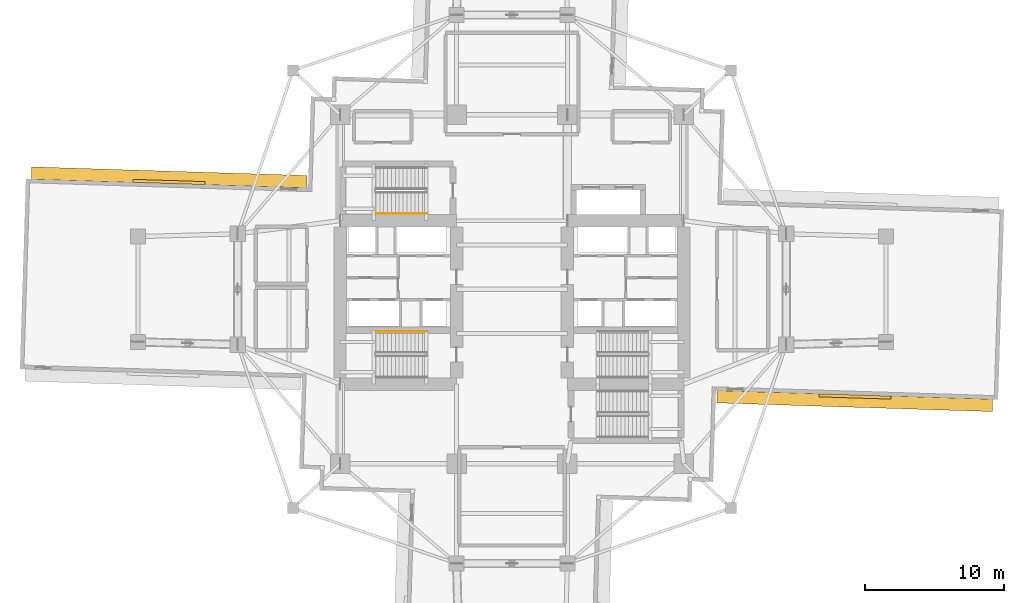
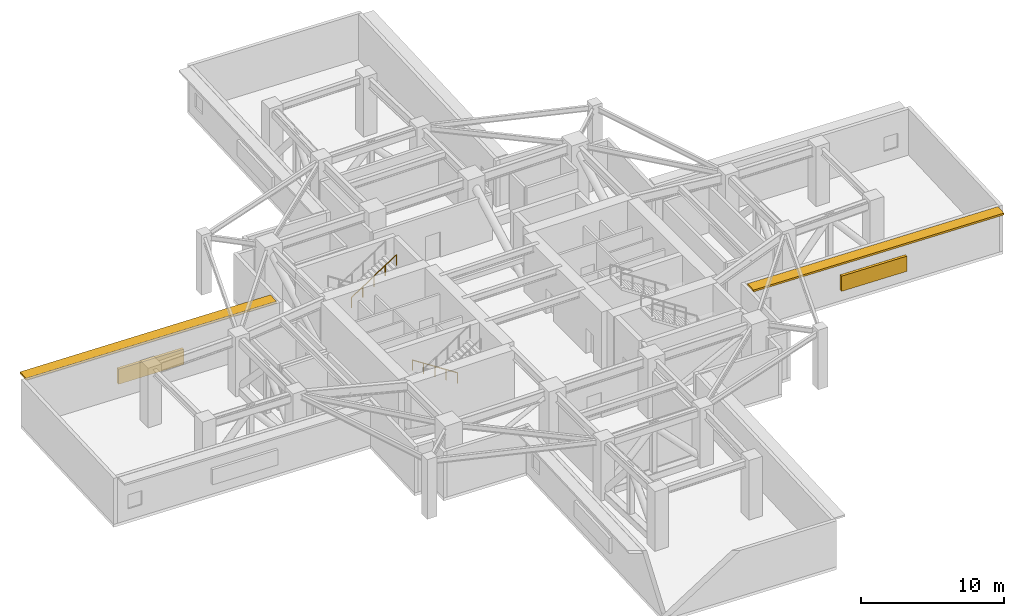
# One storey, part 15 of 17: 4 shading devices, 2 railings.
"""IFC4 building model written with IfcOpenShell, lengths in metres."""

from ifc_helpers import new_model, si_unit, direction, frame, origin, origin_2d, place, context, subcontext, project, spatial, rectangle, circle, extrude, material, layer, layer_set, type_object, element, save


model = new_model("IFC4")

# Units and contexts
model_context = context("Model", 3, precision=1e-05, world=origin(), true_north=direction((0.0, 1.0)))
body_context = subcontext(model_context, "Body", "Model", "MODEL_VIEW")
ifc_project = project(units=[si_unit("LENGTHUNIT", "METRE"), si_unit("AREAUNIT", "SQUARE_METRE"), si_unit("VOLUMEUNIT", "CUBIC_METRE"), si_unit("PLANEANGLEUNIT", "RADIAN"), si_unit("MASSUNIT", "GRAM", prefix="KILO")], contexts=[model_context])

# Site, building, storey
site_placement = place(None, origin())
site = spatial("IfcSite", under=ifc_project, at=site_placement, CompositionType="ELEMENT")
building_placement = place(site_placement, origin())
building = spatial("IfcBuilding", under=site, at=building_placement, Name="Qingluan Cross Belvedere", CompositionType="ELEMENT")
storey_placement = place(building_placement, frame((0.0, 0.0, 95.10009765625)))
storey = spatial("IfcBuildingStorey", under=building, at=storey_placement, Name="L24", CompositionType="ELEMENT", Elevation=95.10009765625)

# Shading devices
ifc_material_1 = material(Name="Precast concrete C45", Category="concrete")
ifc_layer_1 = layer(ifc_material_1, 0.159912109375, Name="ConcreteSunshadeBand_900")
ifc_layer_set_1 = layer_set([ifc_layer_1], Name="Precast concrete C45")
shading_device_type_1 = type_object("IfcShadingDeviceType", Name="ConcreteSunshadeBand_900", PredefinedType="USERDEFINED", material=ifc_layer_set_1)
for number, where, z_axis, x_axis, name in (
    (1, (24.74853515625, -8.0712890625, 3.75), (0.0, 0.0, 1.0), (0.999506649124, -0.031407934627, 0.0), "Concrete SUNSHADE L24-EA"),
    (2, (-24.74853515625, 8.0712890625, 3.75), (0.0, 0.0, 1.0), (-0.999506649124, 0.031407934627, 0.0), "Concrete SUNSHADE L24-WA"),
):
    element("IfcShadingDevice", number, at=place(storey_placement, frame(where, z_axis=z_axis, x_axis=x_axis)), inside=storey, type_object=shading_device_type_1, Name=name, ObjectType="SUNSHADE", PredefinedType="USERDEFINED", context=body_context, shape_type="SweptSolid", body=[
        extrude(rectangle(XDim=19.89990234375, YDim=0.89990234375, at=origin_2d()), origin(), (0.0, 0.0, 1.0), 0.159912109375),
    ])
ifc_material_2 = material(Name="Anodised aluminium acoustic louvre screen", Category="aluminium")
ifc_layer_2 = layer(ifc_material_2, 0.219970703125, Name="RefugeAcousticLouvre_Screen")
ifc_layer_set_2 = layer_set([ifc_layer_2], Name="Anodised aluminium acoustic louvre screen")
shading_device_type_2 = type_object("IfcShadingDeviceType", Name="RefugeAcousticLouvre_Screen", PredefinedType="JALOUSIE", material=ifc_layer_set_2)
for number, where, z_axis, x_axis, name in (
    (3, (24.759033203125, -7.741455078125, 0.94970703125), (0.0, 0.0, 1.0), (0.999506649124, -0.031407934627, 0.0), "Plant acoustic louvre SCREEN L24-EA"),
    (4, (-24.759033203125, 7.741455078125, 0.94970703125), (0.0, 0.0, 1.0), (-0.999506649124, 0.031407934627, 0.0), "Plant acoustic louvre SCREEN L24-WA"),
):
    element("IfcShadingDevice", number, at=place(storey_placement, frame(where, z_axis=z_axis, x_axis=x_axis)), inside=storey, type_object=shading_device_type_2, Name=name, PredefinedType="JALOUSIE", context=body_context, shape_type="SweptSolid", body=[
        extrude(rectangle(XDim=5.199951171875, YDim=0.219970703125, at=origin_2d()), origin(), (0.0, 0.0, 1.0), 1.300048828125),
    ])

# Railings
ifc_material_3 = material(Name="Brushed stainless steel tubular handrail", Category="steel")
railing_type = type_object("IfcRailingType", Name="StairPitchHandrail_900", PredefinedType="HANDRAIL", material=ifc_material_3)
railing_1_placement = place(storey_placement, frame((-6.179931640625, -3.050048828125, 0.18212890625)))
element("IfcRailing", 5, at=railing_1_placement, inside=storey, type_object=railing_type, Name="L24 ST1 stair handrail 1", PredefinedType="HANDRAIL", context=body_context, shape_type="SweptSolid", body=[
    extrude(circle(Radius=0.02392578125, at=origin_2d()), frame((0.0, 0.0, 0.8759765625), z_axis=(-0.838276589377, 0.0, 0.545245228959), x_axis=(0.0, -1.0, 0.0)), (0.0, 0.0, 1.0), 4.34228515625),
    extrude(circle(Radius=0.02099609375, at=origin_2d()), origin(), (0.0, 0.0, 1.0), 0.851806640625),
    extrude(circle(Radius=0.02099609375, at=origin_2d()), frame((-0.91015625, 0.0, 0.591796875)), (0.0, 0.0, 1.0), 0.851806640625),
    extrude(circle(Radius=0.02099609375, at=origin_2d()), frame((-1.820068359375, 0.0, 1.183837890625)), (0.0, 0.0, 1.0), 0.851806640625),
    extrude(circle(Radius=0.02099609375, at=origin_2d()), frame((-2.72998046875, 0.0, 1.77587890625)), (0.0, 0.0, 1.0), 0.851806640625),
    extrude(circle(Radius=0.02099609375, at=origin_2d()), frame((-3.64013671875, 0.0, 2.36767578125)), (0.0, 0.0, 1.0), 0.851806640625),
])
railing_2_placement = place(storey_placement, frame((-9.820068359375, 5.469970703125, 2.73193359375)))
element("IfcRailing", 6, at=railing_2_placement, inside=storey, type_object=railing_type, Name="L24 ST3 stair handrail 2", PredefinedType="HANDRAIL", context=body_context, shape_type="SweptSolid", body=[
    extrude(circle(Radius=0.02392578125, at=origin_2d()), frame((0.0, 0.0, 0.8759765625), z_axis=(0.83825089185, 0.0, 0.545284735081), x_axis=(0.0, 1.0, 0.0)), (0.0, 0.0, 1.0), 4.342529296875),
    extrude(circle(Radius=0.02099609375, at=origin_2d()), origin(), (0.0, 0.0, 1.0), 0.851806640625),
    extrude(circle(Radius=0.02099609375, at=origin_2d()), frame((0.91015625, 0.0, 0.592041015625)), (0.0, 0.0, 1.0), 0.851806640625),
    extrude(circle(Radius=0.02099609375, at=origin_2d()), frame((1.820068359375, 0.0, 1.18408203125)), (0.0, 0.0, 1.0), 0.851806640625),
    extrude(circle(Radius=0.02099609375, at=origin_2d()), frame((2.72998046875, 0.0, 1.77587890625)), (0.0, 0.0, 1.0), 0.851806640625),
    extrude(circle(Radius=0.02099609375, at=origin_2d()), frame((3.64013671875, 0.0, 2.367919921875)), (0.0, 0.0, 1.0), 0.851806640625),
])

save(model, "model.ifc")
